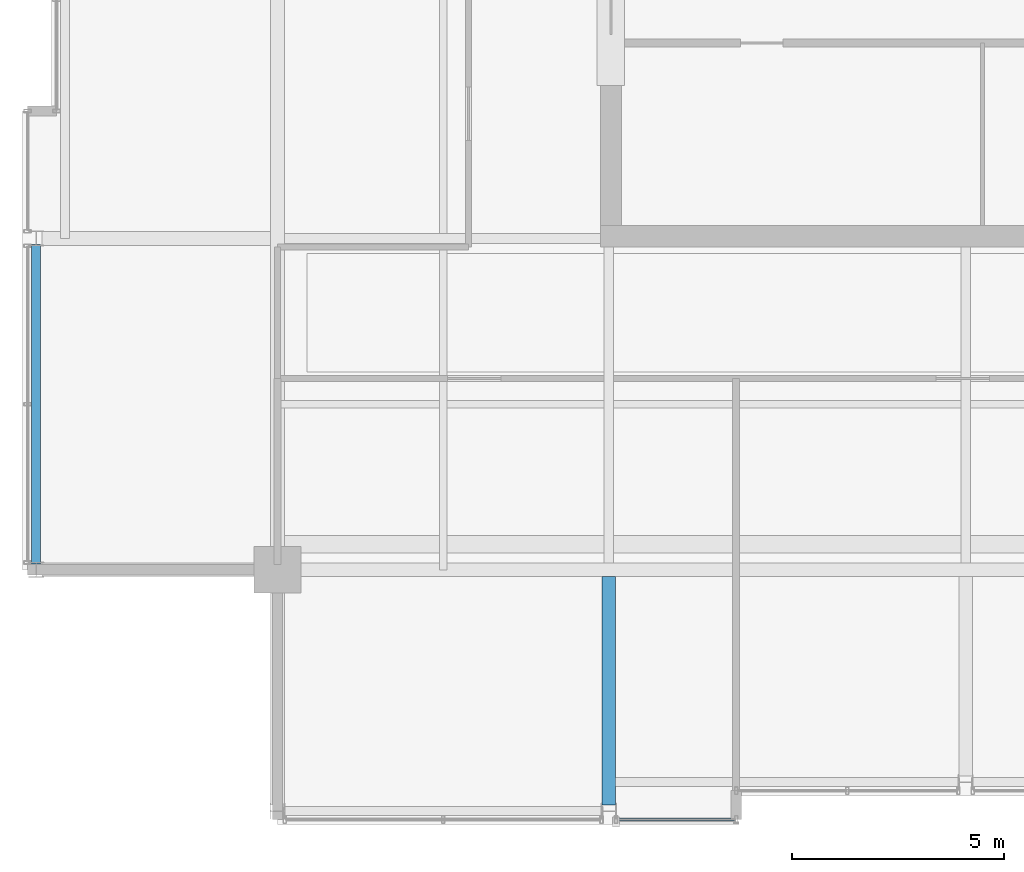
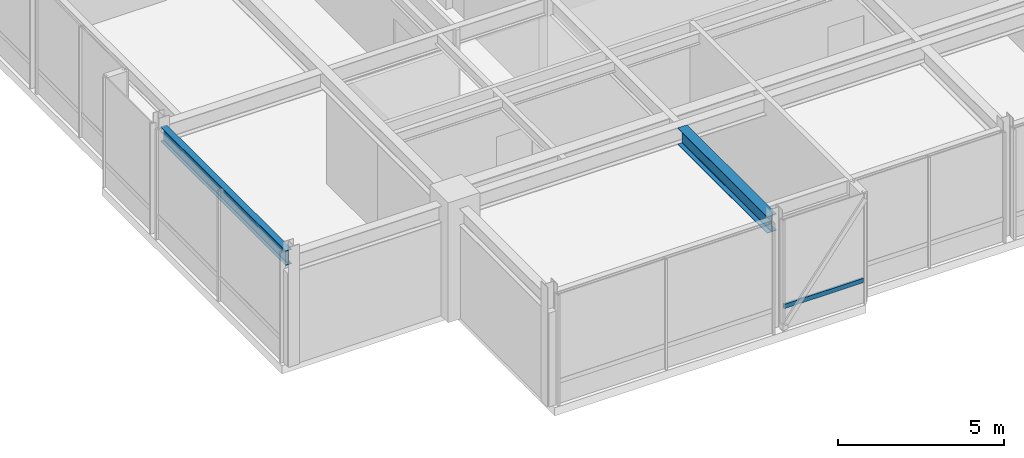
# One storey, part 5 of 33: 2 beams, 1 member, 1 element without a shape of its own.
"""IFC4 building model written with IfcOpenShell, lengths in metres."""

from ifc_helpers import new_model, si_unit, direction, frame, origin, origin_2d, place, context, subcontext, project, spatial, hollow_rectangle, i_section, extrude, material, layer, layer_set, material_profile, profile_set, type_object, element, aggregate, save


model = new_model("IFC4")

# Units and contexts
model_context = context("Model", 3, precision=1e-05, world=origin(), true_north=direction((0.0, 1.0)))
body_context = subcontext(model_context, "Body", "Model", "MODEL_VIEW")
ifc_project = project(units=[si_unit("LENGTHUNIT", "METRE"), si_unit("AREAUNIT", "SQUARE_METRE"), si_unit("VOLUMEUNIT", "CUBIC_METRE"), si_unit("PLANEANGLEUNIT", "RADIAN"), si_unit("MASSUNIT", "GRAM", prefix="KILO")], contexts=[model_context])

# Site, building, storey
site_placement = place(None, origin())
site = spatial("IfcSite", under=ifc_project, at=site_placement, CompositionType="ELEMENT")
building_placement = place(site_placement, origin())
building = spatial("IfcBuilding", under=site, at=building_placement, Name="Drelvath Grand Hotel", CompositionType="ELEMENT")
storey_placement = place(building_placement, frame((0.0, 0.0, 298.60009765625)))
storey = spatial("IfcBuildingStorey", under=building, at=storey_placement, Name="L78", CompositionType="ELEMENT", Elevation=298.60009765625)

# Curtain wall, member
ifc_material_1 = material(Name="Platinum-Mist Anodised Aluminium Frame", Category="aluminium")
ifc_layer = layer(ifc_material_1, 0.199951171875)
ifc_layer_set = layer_set([ifc_layer], Name="Platinum-Mist Anodised Aluminium Frame")
curtain_wall_type = type_object("IfcCurtainWallType", Name="Stick Curtain Wall CW-05 Platinum Mist High-Rise", PredefinedType="NOTDEFINED", material=ifc_layer_set)
curtain_wall_placement = place(storey_placement, origin())
curtain_wall = element("IfcCurtainWall", 1, at=curtain_wall_placement, inside=storey, type_object=curtain_wall_type, Name="L78 CW-05 Curtain Wall CW05-L78-SW2", PredefinedType="NOTDEFINED")
ifc_material_profile_1 = material_profile(ifc_material_1, hollow_rectangle(XDim=0.06494140625, YDim=0.159912109375, WallThickness=0.00390625, at=origin_2d()), Name="HSS160X65X4")
ifc_profile_set_1 = profile_set([ifc_material_profile_1], Name="Platinum-Mist Anodised Aluminium Frame")
member_type = type_object("IfcMemberType", Name="Curtain Wall Horizontal Transom CW-05 HSS160X65X4", PredefinedType="USERDEFINED", material=ifc_profile_set_1)
member_placement = place(storey_placement, frame((-5.43994140625, 4.919921875, 0.849853515625), z_axis=(-1.0, 0.0, 0.0), x_axis=(0.0, -1.0, 0.0)))
member = element("IfcMember", 2, at=member_placement, type_object=member_type, Name="CW05-L78-SW2 Sill Transom", ObjectType="TRANSOM", PredefinedType="USERDEFINED", context=body_context, shape_type="SweptSolid", body=[
    extrude(hollow_rectangle(XDim=0.06494140625, YDim=0.159912109375, WallThickness=0.00390625, at=origin_2d()), origin(), (0.0, 0.0, 1.0), 2.75),
])
aggregate(curtain_wall, [member])

# Beams
ifc_material_2 = material(Name="Steel ASTM A992 Gr 50", Category="steel")
ifc_material_profile_2 = material_profile(ifc_material_2, i_section(OverallWidth=0.210205078125, OverallDepth=0.53662109375, WebThickness=0.010986328125, FlangeThickness=0.017333984375, FilletRadius=0.01806640625, at=origin_2d()), Name="W21X68")
ifc_profile_set_2 = profile_set([ifc_material_profile_2], Name="Steel ASTM A992 Gr 50")
beam_type_1 = type_object("IfcBeamType", Name="Perimeter Spandrel Beam W21X68", PredefinedType="SPANDREL", material=ifc_profile_set_2)
beam_1_placement = place(storey_placement, frame((-21.8798828125, 10.93994140625, 3.781494140625), z_axis=(0.0, 1.0, 0.0), x_axis=(-1.0, 0.0, 0.0)))
element("IfcBeam", 3, at=beam_1_placement, inside=storey, type_object=beam_type_1, Name="L78 Spandrel West S", PredefinedType="SPANDREL", context=body_context, shape_type="SweptSolid", body=[
    extrude(i_section(OverallWidth=0.210205078125, OverallDepth=0.53662109375, WebThickness=0.010986328125, FlangeThickness=0.017333984375, FilletRadius=0.01806640625, at=origin_2d()), origin(), (0.0, 0.0, 1.0), 7.52001953125),
])
ifc_material_profile_3 = material_profile(ifc_material_2, i_section(OverallWidth=0.323974609375, OverallDepth=0.611083984375, WebThickness=0.0126953125, FlangeThickness=0.01904296875, FilletRadius=0.02197265625, at=origin_2d()), Name="W24X104")
ifc_profile_set_3 = profile_set([ifc_material_profile_3], Name="Steel ASTM A992 Gr 50")
beam_type_2 = type_object("IfcBeamType", Name="Primary Floor Girder W24X104", PredefinedType="BEAM", material=ifc_profile_set_3)
beam_2_placement = place(storey_placement, frame((-8.39990234375, 5.260009765625, 3.744384765625), z_axis=(0.0, 1.0, 0.0), x_axis=(-1.0, 0.0, 0.0)))
element("IfcBeam", 4, at=beam_2_placement, inside=storey, type_object=beam_type_2, Name="L78 South Wing Girder 4", PredefinedType="BEAM", context=body_context, shape_type="SweptSolid", body=[
    extrude(i_section(OverallWidth=0.323974609375, OverallDepth=0.611083984375, WebThickness=0.0126953125, FlangeThickness=0.01904296875, FilletRadius=0.02197265625, at=origin_2d()), origin(), (0.0, 0.0, 1.0), 5.3779296875),
])

save(model, "model.ifc")
